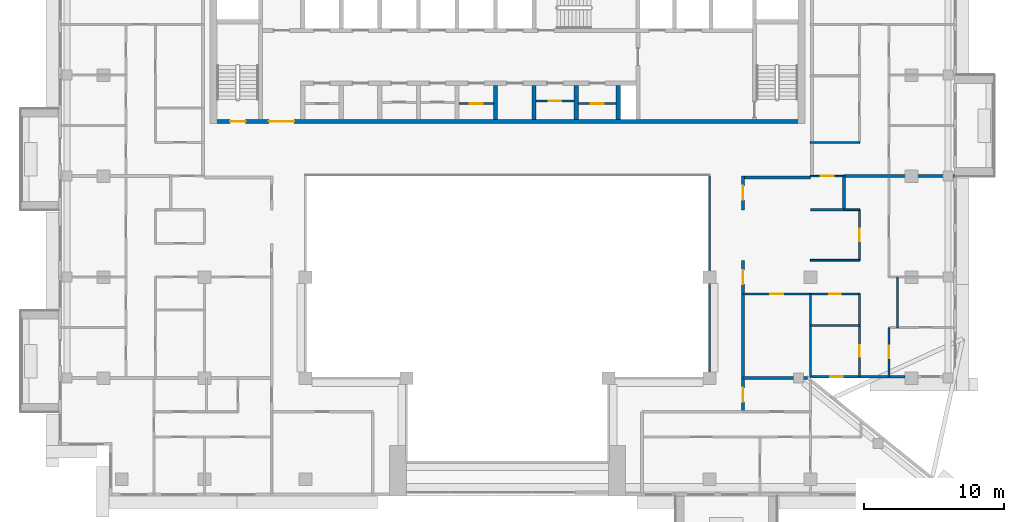
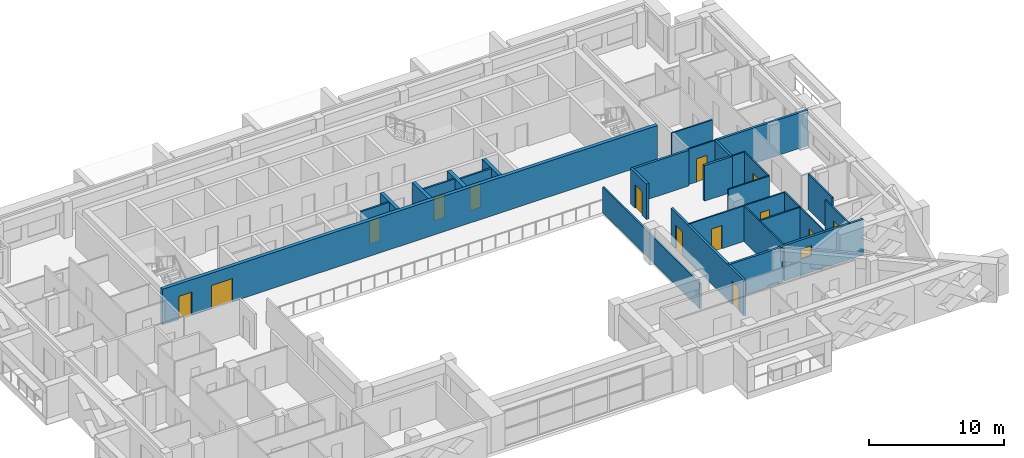
# One storey, part 9 of 19: 28 walls, 14 doors, 1 window, 15 openings.
"""IFC4 building model written with IfcOpenShell, lengths in metres."""

from ifc_helpers import new_model, si_unit, direction, frame, frame_2d, origin, place, context, subcontext, project, spatial, rectangle, extrude, material, layer, layer_set, type_object, element, fill, save


model = new_model("IFC4")

# Units and contexts
model_context = context("Model", 3, precision=1e-05, world=origin(), true_north=direction((0.0, 1.0)))
body_context = subcontext(model_context, "Body", "Model", "MODEL_VIEW")
ifc_project = project(units=[si_unit("LENGTHUNIT", "METRE"), si_unit("AREAUNIT", "SQUARE_METRE"), si_unit("VOLUMEUNIT", "CUBIC_METRE"), si_unit("PLANEANGLEUNIT", "RADIAN"), si_unit("MASSUNIT", "GRAM", prefix="KILO")], contexts=[model_context])

# Site, building, storey
site_placement = place(None, origin())
site = spatial("IfcSite", under=ifc_project, at=site_placement, CompositionType="ELEMENT")
building_placement = place(site_placement, origin())
building = spatial("IfcBuilding", under=site, at=building_placement, Name="Saffron Iwan Residences", CompositionType="ELEMENT")
storey_placement = place(building_placement, frame((0.0, 0.0, 229.0)))
storey = spatial("IfcBuildingStorey", under=building, at=storey_placement, Name="L61", CompositionType="ELEMENT", Elevation=229.0)

# Wall
ifc_material_1 = material(Name="Fire-rated glazing", Category="glass")
ifc_layer_1 = layer(ifc_material_1, 0.14990234375)
ifc_layer_set_1 = layer_set([ifc_layer_1], Name="Fire-rated glazing")
wall_type_1 = type_object("IfcWallType", Name="Atrium glazed screen 150", PredefinedType="SOLIDWALL", material=ifc_layer_set_1)
wall_1_placement = place(storey_placement, frame((64.800048828125, 48.0, 0.0), z_axis=(0.0, 0.0, 1.0), x_axis=(0.0, 1.0, 0.0)))
element("IfcWall", 1, at=wall_1_placement, inside=storey, type_object=wall_type_1, Name="W-L61-SCREEN-v64.8-48", PredefinedType="SOLIDWALL", context=body_context, shape_type="SweptSolid", body=[
    extrude(rectangle(XDim=14.39990234375, YDim=0.14990234375, at=frame_2d((7.199951171875, 0.0))), origin(), (0.0, 0.0, 1.0), 2.320068359375),
])

# Wall, opening, door
ifc_material_2 = material(Name="Fire-rated plasterboard partition")
ifc_layer_2 = layer(ifc_material_2, 0.14990234375)
ifc_layer_set_2 = layer_set([ifc_layer_2], Name="Fire-rated plasterboard partition")
wall_type_2 = type_object("IfcWallType", Name="Core partition 150", PredefinedType="PARTITIONING", material=ifc_layer_set_2)
wall_2_placement = place(storey_placement, frame((46.949951171875, 67.5654296875, 0.0), z_axis=(0.0, 0.0, 1.0), x_axis=(1.0, 0.0, 0.0)))
wall_2 = element("IfcWall", 2, at=wall_2_placement, inside=storey, type_object=wall_type_2, Name="Core partition P04", PredefinedType="PARTITIONING", context=body_context, shape_type="SweptSolid", body=[
    extrude(rectangle(XDim=2.449951171875, YDim=0.14990234375, at=frame_2d((1.22509765625, 0.0))), origin(), (0.0, 0.0, 1.0), 3.219970703125),
])
opening_1_placement = place(wall_2_placement, frame((0.77490234375, 0.0, 0.0)))
opening_1 = element("IfcOpeningElement", 3, at=opening_1_placement, cuts=wall_2, Name="Opening SB", PredefinedType="OPENING", context=body_context, shape_type="SweptSolid", body=[
    extrude(rectangle(XDim=0.89990234375, YDim=2.10009765625, at=frame_2d((0.449951171875, 1.050048828125))), frame((0.0, 0.0849609375, 0.0), z_axis=(0.0, -1.0, 0.0), x_axis=(1.0, 0.0, 0.0)), (0.0, 0.0, 1.0), 0.169921875),
])
ifc_material_3 = material(Name="Steel fire door", Category="steel")
door_type_1 = type_object("IfcDoorType", Name="Store door 900", OperationType="NOTDEFINED", PredefinedType="DOOR", material=ifc_material_3)
door_1_placement = place(opening_1_placement, origin())
door_1 = element("IfcDoor", 4, at=door_1_placement, inside=storey, type_object=door_type_1, Name="Door Equipment store", OperationType="SINGLE_SWING_RIGHT", OverallHeight=2.10009765625, OverallWidth=0.89990234375, PredefinedType="DOOR", context=body_context, shape_type="SweptSolid", body=[
    extrude(rectangle(XDim=0.89990234375, YDim=2.10009765625, at=frame_2d((0.449951171875, 1.050048828125))), frame((0.0, 0.02490234375, 0.0), z_axis=(0.0, -1.0, 0.0), x_axis=(1.0, 0.0, 0.0)), (0.0, 0.0, 1.0), 0.050048828125),
])
fill(opening_1, door_1)

wall_3_placement = place(storey_placement, frame((52.449951171875, 67.759521484375, 0.0), z_axis=(0.0, 0.0, 1.0), x_axis=(1.0, 0.0, 0.0)))
wall_3 = element("IfcWall", 5, at=wall_3_placement, inside=storey, type_object=wall_type_2, Name="Core partition P05", PredefinedType="PARTITIONING", context=body_context, shape_type="SweptSolid", body=[
    extrude(rectangle(XDim=2.699951171875, YDim=0.14990234375, at=frame_2d((1.35009765625, 0.0))), origin(), (0.0, 0.0, 1.0), 3.219970703125),
])
opening_2_placement = place(wall_3_placement, frame((0.89990234375, 0.0, 0.0)))
opening_2 = element("IfcOpeningElement", 6, at=opening_2_placement, cuts=wall_3, Name="Opening SB", PredefinedType="OPENING", context=body_context, shape_type="SweptSolid", body=[
    extrude(rectangle(XDim=0.89990234375, YDim=2.10009765625, at=frame_2d((0.449951171875, 1.050048828125))), frame((0.0, 0.0849609375, 0.0), z_axis=(0.0, -1.0, 0.0), x_axis=(1.0, 0.0, 0.0)), (0.0, 0.0, 1.0), 0.169921875),
])
door_2_placement = place(opening_2_placement, origin())
door_2 = element("IfcDoor", 7, at=door_2_placement, inside=storey, type_object=door_type_1, Name="Door Stationery store", OperationType="SINGLE_SWING_LEFT", OverallHeight=2.10009765625, OverallWidth=0.89990234375, PredefinedType="DOOR", context=body_context, shape_type="SweptSolid", body=[
    extrude(rectangle(XDim=0.89990234375, YDim=2.10009765625, at=frame_2d((0.449951171875, 1.050048828125))), frame((0.0, 0.02490234375, 0.0), z_axis=(0.0, -1.0, 0.0), x_axis=(1.0, 0.0, 0.0)), (0.0, 0.0, 1.0), 0.050048828125),
])
fill(opening_2, door_2)

wall_4_placement = place(storey_placement, frame((55.449951171875, 67.5654296875, 0.0), z_axis=(0.0, 0.0, 1.0), x_axis=(1.0, 0.0, 0.0)))
wall_4 = element("IfcWall", 8, at=wall_4_placement, inside=storey, type_object=wall_type_2, Name="Core partition P06", PredefinedType="PARTITIONING", context=body_context, shape_type="SweptSolid", body=[
    extrude(rectangle(XDim=2.699951171875, YDim=0.14990234375, at=frame_2d((1.35009765625, 0.0))), origin(), (0.0, 0.0, 1.0), 3.219970703125),
])
opening_3_placement = place(wall_4_placement, frame((0.89990234375, 0.0, 0.0)))
opening_3 = element("IfcOpeningElement", 9, at=opening_3_placement, cuts=wall_4, Name="Opening SB", PredefinedType="OPENING", context=body_context, shape_type="SweptSolid", body=[
    extrude(rectangle(XDim=0.89990234375, YDim=2.10009765625, at=frame_2d((0.449951171875, 1.050048828125))), frame((0.0, 0.0849609375, 0.0), z_axis=(0.0, -1.0, 0.0), x_axis=(1.0, 0.0, 0.0)), (0.0, 0.0, 1.0), 0.169921875),
])
door_3_placement = place(opening_3_placement, origin())
door_3 = element("IfcDoor", 10, at=door_3_placement, inside=storey, type_object=door_type_1, Name="Door Tool store", OperationType="SINGLE_SWING_RIGHT", OverallHeight=2.10009765625, OverallWidth=0.89990234375, PredefinedType="DOOR", context=body_context, shape_type="SweptSolid", body=[
    extrude(rectangle(XDim=0.89990234375, YDim=2.10009765625, at=frame_2d((0.449951171875, 1.050048828125))), frame((0.0, 0.02490234375, 0.0), z_axis=(0.0, -1.0, 0.0), x_axis=(1.0, 0.0, 0.0)), (0.0, 0.0, 1.0), 0.050048828125),
])
fill(opening_3, door_3)

# Wall, opening, window
ifc_material_4 = material(Name="Concrete C40/50", Category="concrete")
ifc_layer_3 = layer(ifc_material_4, 0.199951171875)
ifc_layer_set_3 = layer_set([ifc_layer_3], Name="Concrete C40/50")
wall_type_3 = type_object("IfcWallType", Name="EXTERNAL WALL 200", PredefinedType="SOLIDWALL", material=ifc_layer_set_3)
wall_5_placement = place(storey_placement, frame((71.987060546875, 48.10009765625, 0.0), z_axis=(0.0, 0.0, 1.0), x_axis=(1.0, 0.0, 0.0)))
wall_5 = element("IfcWall", 11, at=wall_5_placement, inside=storey, type_object=wall_type_3, Name="External wall L61 F1.0", PredefinedType="SOLIDWALL", context=body_context, shape_type="SweptSolid", body=[
    extrude(rectangle(XDim=6.762939453125, YDim=0.199951171875, at=frame_2d((3.38134765625, 0.0))), origin(), (0.0, 0.0, 1.0), 3.219970703125),
])
opening_4_placement = place(wall_5_placement, frame((1.406494140625, 0.0, 1.5)))
opening_4 = element("IfcOpeningElement", 12, at=opening_4_placement, cuts=wall_5, Name="Opening W6", PredefinedType="OPENING", context=body_context, shape_type="SweptSolid", body=[
    extrude(rectangle(XDim=0.89990234375, YDim=0.89990234375, at=frame_2d((0.449951171875, 0.449951171875))), frame((0.0, 0.10986328125, 0.0), z_axis=(0.0, -1.0, 0.0), x_axis=(1.0, 0.0, 0.0)), (0.0, 0.0, 1.0), 0.219970703125),
])
ifc_material_5 = material(Name="Clear glass, laminated double glazed", Category="glass")
window_type = type_object("IfcWindowType", Name="WINDOW 900 x 900 BATH", PartitioningType="SINGLE_PANEL", PredefinedType="WINDOW", material=ifc_material_5)
window_placement = place(opening_4_placement, origin())
window = element("IfcWindow", 13, at=window_placement, inside=storey, type_object=window_type, Name="Window L61 F1.0", OverallHeight=0.89990234375, OverallWidth=0.89990234375, PartitioningType="SINGLE_PANEL", PredefinedType="WINDOW", context=body_context, shape_type="SweptSolid", body=[
    extrude(rectangle(XDim=0.89990234375, YDim=0.89990234375, at=frame_2d((0.449951171875, 0.449951171875))), frame((0.0, 0.030029296875, 0.0), z_axis=(0.0, -1.0, 0.0), x_axis=(1.0, 0.0, 0.0)), (0.0, 0.0, 1.0), 0.06005859375),
])
fill(opening_4, window)

# Walls
ifc_material_6 = material(Name="Fire-rated gypsum board wall")
ifc_layer_4 = layer(ifc_material_6, 0.199951171875)
ifc_layer_set_4 = layer_set([ifc_layer_4], Name="Fire-rated gypsum board wall")
wall_type_4 = type_object("IfcWallType", Name="Flat demising wall 200", PredefinedType="SOLIDWALL", material=ifc_layer_set_4)
wall_6_placement = place(storey_placement, frame((67.199951171875, 48.0, 0.0), z_axis=(0.0, 0.0, 1.0), x_axis=(1.0, 0.0, 0.0)))
element("IfcWall", 14, at=wall_6_placement, inside=storey, type_object=wall_type_4, Name="W-L61-DEMISE-h48-67.2", PredefinedType="SOLIDWALL", context=body_context, shape_type="SweptSolid", body=[
    extrude(rectangle(XDim=4.60107421875, YDim=0.199951171875, at=frame_2d((2.300537109375, 0.0))), origin(), (0.0, 0.0, 1.0), 3.219970703125),
])
wall_7_placement = place(storey_placement, frame((72.0, 60.0, 0.0), z_axis=(0.0, 0.0, 1.0), x_axis=(1.0, 0.0, 0.0)))
element("IfcWall", 15, at=wall_7_placement, inside=storey, type_object=wall_type_4, Name="W-L61-DEMISE-h60-72", PredefinedType="SOLIDWALL", context=body_context, shape_type="SweptSolid", body=[
    extrude(rectangle(XDim=2.39990234375, YDim=0.199951171875, at=frame_2d((1.199951171875, 0.0))), origin(), (0.0, 0.0, 1.0), 3.219970703125),
])
wall_8_placement = place(storey_placement, frame((74.39990234375, 62.39990234375, 0.0), z_axis=(0.0, 0.0, 1.0), x_axis=(1.0, 0.0, 0.0)))
element("IfcWall", 16, at=wall_8_placement, inside=storey, type_object=wall_type_4, Name="W-L61-DEMISE-h62.4-74.4", PredefinedType="SOLIDWALL", context=body_context, shape_type="SweptSolid", body=[
    extrude(rectangle(XDim=7.875, YDim=0.199951171875, at=frame_2d((3.9375, 0.0))), origin(), (0.0, 0.0, 1.0), 3.219970703125),
])
wall_9_placement = place(storey_placement, frame((74.39990234375, 60.0, 0.0), z_axis=(0.0, 0.0, 1.0), x_axis=(0.0, 1.0, 0.0)))
element("IfcWall", 17, at=wall_9_placement, inside=storey, type_object=wall_type_4, Name="W-L61-DEMISE-v74.4-60", PredefinedType="SOLIDWALL", context=body_context, shape_type="SweptSolid", body=[
    extrude(rectangle(XDim=2.39990234375, YDim=0.199951171875, at=frame_2d((1.199951171875, 0.0))), origin(), (0.0, 0.0, 1.0), 3.219970703125),
])
ifc_material_7 = material(Name="Gypsum board partition")
ifc_layer_5 = layer(ifc_material_7, 0.1201171875)
ifc_layer_set_5 = layer_set([ifc_layer_5], Name="Gypsum board partition")
wall_type_5 = type_object("IfcWallType", Name="Flat partition 120", PredefinedType="PARTITIONING", material=ifc_layer_set_5)
wall_10_placement = place(storey_placement, frame((72.0, 51.75, 0.0), z_axis=(0.0, 0.0, 1.0), x_axis=(1.0, 0.0, 0.0)))
element("IfcWall", 18, at=wall_10_placement, inside=storey, type_object=wall_type_5, Name="W-L61-PART-h51.75-72", PredefinedType="PARTITIONING", context=body_context, shape_type="SweptSolid", body=[
    extrude(rectangle(XDim=3.5, YDim=0.1201171875, at=frame_2d((1.75, 0.0))), origin(), (0.0, 0.0, 1.0), 3.219970703125),
])

# Wall, openings, doors
wall_11_placement = place(storey_placement, frame((67.199951171875, 54.0, 0.0), z_axis=(0.0, 0.0, 1.0), x_axis=(1.0, 0.0, 0.0)))
wall_11 = element("IfcWall", 19, at=wall_11_placement, inside=storey, type_object=wall_type_5, Name="W-L61-PART-h54-67.2", PredefinedType="PARTITIONING", context=body_context, shape_type="SweptSolid", body=[
    extrude(rectangle(XDim=8.300048828125, YDim=0.1201171875, at=frame_2d((4.14990234375, 0.0))), origin(), (0.0, 0.0, 1.0), 3.219970703125),
])
opening_5_placement = place(wall_11_placement, frame((6.14990234375, 0.0, 0.0)))
opening_5 = element("IfcOpeningElement", 20, at=opening_5_placement, cuts=wall_11, Name="Opening FD3", PredefinedType="OPENING", context=body_context, shape_type="SweptSolid", body=[
    extrude(rectangle(XDim=0.800048828125, YDim=2.10009765625, at=frame_2d((0.39990234375, 1.050048828125))), frame((0.0, 0.070068359375, 0.0), z_axis=(0.0, -1.0, 0.0), x_axis=(1.0, 0.0, 0.0)), (0.0, 0.0, 1.0), 0.14013671875),
])
opening_6_placement = place(wall_11_placement, frame((1.949951171875, 0.0, 0.0)))
opening_6 = element("IfcOpeningElement", 21, at=opening_6_placement, cuts=wall_11, Name="Opening FD2", PredefinedType="OPENING", context=body_context, shape_type="SweptSolid", body=[
    extrude(rectangle(XDim=0.89990234375, YDim=2.10009765625, at=frame_2d((0.449951171875, 1.050048828125))), frame((0.0, 0.070068359375, 0.0), z_axis=(0.0, -1.0, 0.0), x_axis=(1.0, 0.0, 0.0)), (0.0, 0.0, 1.0), 0.14013671875),
])
ifc_material_8 = material(Name="Timber door", Category="wood")
door_type_2 = type_object("IfcDoorType", Name="Bathroom door 800", OperationType="NOTDEFINED", PredefinedType="DOOR", material=ifc_material_8)
door_4_placement = place(opening_5_placement, origin())
door_4 = element("IfcDoor", 22, at=door_4_placement, inside=storey, type_object=door_type_2, Name="Door L61-021", OperationType="SINGLE_SWING_RIGHT", OverallHeight=2.10009765625, OverallWidth=0.800048828125, PredefinedType="DOOR", context=body_context, shape_type="SweptSolid", body=[
    extrude(rectangle(XDim=0.800048828125, YDim=2.10009765625, at=frame_2d((0.39990234375, 1.050048828125))), frame((0.0, 0.02490234375, 0.0), z_axis=(0.0, -1.0, 0.0), x_axis=(1.0, 0.0, 0.0)), (0.0, 0.0, 1.0), 0.050048828125),
])
fill(opening_5, door_4)
door_type_3 = type_object("IfcDoorType", Name="Flat door 900", OperationType="NOTDEFINED", PredefinedType="DOOR", material=ifc_material_8)
door_5_placement = place(opening_6_placement, origin())
door_5 = element("IfcDoor", 23, at=door_5_placement, inside=storey, type_object=door_type_3, Name="Door L61-023", OperationType="SINGLE_SWING_LEFT", OverallHeight=2.10009765625, OverallWidth=0.89990234375, PredefinedType="DOOR", context=body_context, shape_type="SweptSolid", body=[
    extrude(rectangle(XDim=0.89990234375, YDim=2.10009765625, at=frame_2d((0.449951171875, 1.050048828125))), frame((0.0, 0.02490234375, 0.0), z_axis=(0.0, -1.0, 0.0), x_axis=(1.0, 0.0, 0.0)), (0.0, 0.0, 1.0), 0.050048828125),
])
fill(opening_6, door_5)

# Walls
wall_12_placement = place(storey_placement, frame((72.0, 56.39990234375, 0.0), z_axis=(0.0, 0.0, 1.0), x_axis=(1.0, 0.0, 0.0)))
element("IfcWall", 24, at=wall_12_placement, inside=storey, type_object=wall_type_5, Name="W-L61-PART-h56.4-72", PredefinedType="PARTITIONING", context=body_context, shape_type="SweptSolid", body=[
    extrude(rectangle(XDim=3.5, YDim=0.1201171875, at=frame_2d((1.75, 0.0))), origin(), (0.0, 0.0, 1.0), 3.219970703125),
])
wall_13_placement = place(storey_placement, frame((74.39990234375, 60.0, 0.0), z_axis=(0.0, 0.0, 1.0), x_axis=(1.0, 0.0, 0.0)))
element("IfcWall", 25, at=wall_13_placement, inside=storey, type_object=wall_type_5, Name="W-L61-PART-h60-74.4", PredefinedType="PARTITIONING", context=body_context, shape_type="SweptSolid", body=[
    extrude(rectangle(XDim=1.10009765625, YDim=0.1201171875, at=frame_2d((0.550048828125, 0.0))), origin(), (0.0, 0.0, 1.0), 3.219970703125),
])

# Wall, opening, door
wall_14_placement = place(storey_placement, frame((72.0, 62.39990234375, 0.0), z_axis=(0.0, 0.0, 1.0), x_axis=(1.0, 0.0, 0.0)))
wall_14 = element("IfcWall", 26, at=wall_14_placement, inside=storey, type_object=wall_type_5, Name="W-L61-PART-h62.4-72", PredefinedType="PARTITIONING", context=body_context, shape_type="SweptSolid", body=[
    extrude(rectangle(XDim=2.39990234375, YDim=0.1201171875, at=frame_2d((1.199951171875, 0.0))), origin(), (0.0, 0.0, 1.0), 3.219970703125),
])
opening_7_placement = place(wall_14_placement, frame((0.75, 0.0, 0.0)))
opening_7 = element("IfcOpeningElement", 27, at=opening_7_placement, cuts=wall_14, Name="Opening FD2", PredefinedType="OPENING", context=body_context, shape_type="SweptSolid", body=[
    extrude(rectangle(XDim=0.89990234375, YDim=2.10009765625, at=frame_2d((0.449951171875, 1.050048828125))), frame((0.0, 0.070068359375, 0.0), z_axis=(0.0, -1.0, 0.0), x_axis=(1.0, 0.0, 0.0)), (0.0, 0.0, 1.0), 0.14013671875),
])
door_6_placement = place(opening_7_placement, origin())
door_6 = element("IfcDoor", 28, at=door_6_placement, inside=storey, type_object=door_type_3, Name="Door L61-032", OperationType="SINGLE_SWING_LEFT", OverallHeight=2.10009765625, OverallWidth=0.89990234375, PredefinedType="DOOR", context=body_context, shape_type="SweptSolid", body=[
    extrude(rectangle(XDim=0.89990234375, YDim=2.10009765625, at=frame_2d((0.449951171875, 1.050048828125))), frame((0.0, 0.02490234375, 0.0), z_axis=(0.0, -1.0, 0.0), x_axis=(1.0, 0.0, 0.0)), (0.0, 0.0, 1.0), 0.050048828125),
])
fill(opening_7, door_6)

# Walls
wall_15_placement = place(storey_placement, frame((72.0, 64.800048828125, 0.0), z_axis=(0.0, 0.0, 1.0), x_axis=(1.0, 0.0, 0.0)))
element("IfcWall", 29, at=wall_15_placement, inside=storey, type_object=wall_type_5, Name="W-L61-PART-h64.8-72", PredefinedType="PARTITIONING", context=body_context, shape_type="SweptSolid", body=[
    extrude(rectangle(XDim=3.5, YDim=0.1201171875, at=frame_2d((1.75, 0.0))), origin(), (0.0, 0.0, 1.0), 3.219970703125),
])
wall_16_placement = place(storey_placement, frame((72.0, 48.125, 0.0), z_axis=(0.0, 0.0, 1.0), x_axis=(0.0, 1.0, 0.0)))
element("IfcWall", 30, at=wall_16_placement, inside=storey, type_object=wall_type_5, Name="W-L61-PART-v72-48.125", PredefinedType="PARTITIONING", context=body_context, shape_type="SweptSolid", body=[
    extrude(rectangle(XDim=5.875, YDim=0.1201171875, at=frame_2d((2.9375, 0.0))), origin(), (0.0, 0.0, 1.0), 3.219970703125),
])

# Wall, opening, door
wall_17_placement = place(storey_placement, frame((75.5, 48.125, 0.0), z_axis=(0.0, 0.0, 1.0), x_axis=(0.0, 1.0, 0.0)))
wall_17 = element("IfcWall", 31, at=wall_17_placement, inside=storey, type_object=wall_type_5, Name="W-L61-PART-v75.5-48.125", PredefinedType="PARTITIONING", context=body_context, shape_type="SweptSolid", body=[
    extrude(rectangle(XDim=5.875, YDim=0.1201171875, at=frame_2d((2.9375, 0.0))), origin(), (0.0, 0.0, 1.0), 3.219970703125),
])
opening_8_placement = place(wall_17_placement, frame((1.41259765625, 0.0, 0.0)))
opening_8 = element("IfcOpeningElement", 32, at=opening_8_placement, cuts=wall_17, Name="Opening FD3", PredefinedType="OPENING", context=body_context, shape_type="SweptSolid", body=[
    extrude(rectangle(XDim=0.800048828125, YDim=2.10009765625, at=frame_2d((0.39990234375, 1.050048828125))), frame((0.0, 0.070068359375, 0.0), z_axis=(0.0, -1.0, 0.0), x_axis=(1.0, 0.0, 0.0)), (0.0, 0.0, 1.0), 0.14013671875),
])
door_7_placement = place(opening_8_placement, origin())
door_7 = element("IfcDoor", 33, at=door_7_placement, inside=storey, type_object=door_type_2, Name="Door L61-020", OperationType="SINGLE_SWING_LEFT", OverallHeight=2.10009765625, OverallWidth=0.800048828125, PredefinedType="DOOR", context=body_context, shape_type="SweptSolid", body=[
    extrude(rectangle(XDim=0.800048828125, YDim=2.10009765625, at=frame_2d((0.39990234375, 1.050048828125))), frame((0.0, 0.02490234375, 0.0), z_axis=(0.0, -1.0, 0.0), x_axis=(1.0, 0.0, 0.0)), (0.0, 0.0, 1.0), 0.050048828125),
])
fill(opening_8, door_7)

wall_18_placement = place(storey_placement, frame((75.5, 56.39990234375, 0.0), z_axis=(0.0, 0.0, 1.0), x_axis=(0.0, 1.0, 0.0)))
wall_18 = element("IfcWall", 34, at=wall_18_placement, inside=storey, type_object=wall_type_5, Name="W-L61-PART-v75.5-56.4", PredefinedType="PARTITIONING", context=body_context, shape_type="SweptSolid", body=[
    extrude(rectangle(XDim=3.60009765625, YDim=0.1201171875, at=frame_2d((1.800048828125, 0.0))), origin(), (0.0, 0.0, 1.0), 3.219970703125),
])
opening_9_placement = place(wall_18_placement, frame((1.35009765625, 0.0, 0.0)))
opening_9 = element("IfcOpeningElement", 35, at=opening_9_placement, cuts=wall_18, Name="Opening FD2", PredefinedType="OPENING", context=body_context, shape_type="SweptSolid", body=[
    extrude(rectangle(XDim=0.89990234375, YDim=2.10009765625, at=frame_2d((0.449951171875, 1.050048828125))), frame((0.0, 0.070068359375, 0.0), z_axis=(0.0, -1.0, 0.0), x_axis=(1.0, 0.0, 0.0)), (0.0, 0.0, 1.0), 0.14013671875),
])
door_8_placement = place(opening_9_placement, origin())
door_8 = element("IfcDoor", 36, at=door_8_placement, inside=storey, type_object=door_type_3, Name="Door L61-022", OperationType="SINGLE_SWING_LEFT", OverallHeight=2.10009765625, OverallWidth=0.89990234375, PredefinedType="DOOR", context=body_context, shape_type="SweptSolid", body=[
    extrude(rectangle(XDim=0.89990234375, YDim=2.10009765625, at=frame_2d((0.449951171875, 1.050048828125))), frame((0.0, 0.02490234375, 0.0), z_axis=(0.0, -1.0, 0.0), x_axis=(1.0, 0.0, 0.0)), (0.0, 0.0, 1.0), 0.050048828125),
])
fill(opening_9, door_8)

wall_19_placement = place(storey_placement, frame((77.60009765625, 48.125, 0.0), z_axis=(0.0, 0.0, 1.0), x_axis=(0.0, 1.0, 0.0)))
wall_19 = element("IfcWall", 37, at=wall_19_placement, inside=storey, type_object=wall_type_5, Name="W-L61-PART-v77.6-48.125", PredefinedType="PARTITIONING", context=body_context, shape_type="SweptSolid", body=[
    extrude(rectangle(XDim=3.47509765625, YDim=0.1201171875, at=frame_2d((1.737548828125, 0.0))), origin(), (0.0, 0.0, 1.0), 3.219970703125),
])
opening_10_placement = place(wall_19_placement, frame((1.28759765625, 0.0, 0.0)))
opening_10 = element("IfcOpeningElement", 38, at=opening_10_placement, cuts=wall_19, Name="Opening FD2", PredefinedType="OPENING", context=body_context, shape_type="SweptSolid", body=[
    extrude(rectangle(XDim=0.89990234375, YDim=2.10009765625, at=frame_2d((0.449951171875, 1.050048828125))), frame((0.0, 0.070068359375, 0.0), z_axis=(0.0, -1.0, 0.0), x_axis=(1.0, 0.0, 0.0)), (0.0, 0.0, 1.0), 0.14013671875),
])
door_9_placement = place(opening_10_placement, origin())
door_9 = element("IfcDoor", 39, at=door_9_placement, inside=storey, type_object=door_type_3, Name="Door L61-017", OperationType="SINGLE_SWING_LEFT", OverallHeight=2.10009765625, OverallWidth=0.89990234375, PredefinedType="DOOR", context=body_context, shape_type="SweptSolid", body=[
    extrude(rectangle(XDim=0.89990234375, YDim=2.10009765625, at=frame_2d((0.449951171875, 1.050048828125))), frame((0.0, 0.02490234375, 0.0), z_axis=(0.0, -1.0, 0.0), x_axis=(1.0, 0.0, 0.0)), (0.0, 0.0, 1.0), 0.050048828125),
])
fill(opening_10, door_9)

# Walls
wall_20_placement = place(storey_placement, frame((78.199951171875, 51.60009765625, 0.0), z_axis=(0.0, 0.0, 1.0), x_axis=(0.0, 1.0, 0.0)))
element("IfcWall", 40, at=wall_20_placement, inside=storey, type_object=wall_type_5, Name="W-L61-PART-v78.2-51.6", PredefinedType="PARTITIONING", context=body_context, shape_type="SweptSolid", body=[
    extrude(rectangle(XDim=3.599853515625, YDim=0.1201171875, at=frame_2d((1.7998046875, 0.0))), origin(), (0.0, 0.0, 1.0), 3.219970703125),
])
ifc_layer_6 = layer(ifc_material_6, 0.199951171875)
ifc_layer_set_6 = layer_set([ifc_layer_6], Name="Fire-rated gypsum board wall")
wall_type_6 = type_object("IfcWallType", Name="Gallery wall 200", PredefinedType="SOLIDWALL", material=ifc_layer_set_6)
wall_21_placement = place(storey_placement, frame((67.199951171875, 62.300048828125, 0.0), z_axis=(0.0, 0.0, 1.0), x_axis=(1.0, 0.0, 0.0)))
element("IfcWall", 41, at=wall_21_placement, inside=storey, type_object=wall_type_6, Name="W-L61-CORR-h62.4-67.2", PredefinedType="SOLIDWALL", context=body_context, shape_type="SweptSolid", body=[
    extrude(rectangle(XDim=4.800048828125, YDim=0.199951171875, at=frame_2d((2.39990234375, 0.0))), origin(), (0.0, 0.0, 1.0), 3.219970703125),
])

# Wall, openings, doors
wall_22_placement = place(storey_placement, frame((67.199951171875, 45.60009765625, 0.0), z_axis=(0.0, 0.0, 1.0), x_axis=(0.0, 1.0, 0.0)))
wall_22 = element("IfcWall", 42, at=wall_22_placement, inside=storey, type_object=wall_type_6, Name="W-L61-CORR-v67.2-45.6", PredefinedType="SOLIDWALL", context=body_context, shape_type="SweptSolid", body=[
    extrude(rectangle(XDim=10.7998046875, YDim=0.199951171875, at=frame_2d((5.39990234375, 0.0))), origin(), (0.0, 0.0, 1.0), 3.219970703125),
])
opening_11_placement = place(wall_22_placement, frame((9.10009765625, 0.0, 0.0)))
opening_11 = element("IfcOpeningElement", 43, at=opening_11_placement, cuts=wall_22, Name="Opening FD1", PredefinedType="OPENING", context=body_context, shape_type="SweptSolid", body=[
    extrude(rectangle(XDim=1.0, YDim=2.10009765625, at=frame_2d((0.5, 1.050048828125))), frame((0.0, 0.10986328125, 0.0), z_axis=(0.0, -1.0, 0.0), x_axis=(1.0, 0.0, 0.0)), (0.0, 0.0, 1.0), 0.219970703125),
])
opening_12_placement = place(wall_22_placement, frame((0.699951171875, 0.0, 0.0)))
opening_12 = element("IfcOpeningElement", 44, at=opening_12_placement, cuts=wall_22, Name="Opening FD5", PredefinedType="OPENING", context=body_context, shape_type="SweptSolid", body=[
    extrude(rectangle(XDim=1.0, YDim=2.10009765625, at=frame_2d((0.5, 1.050048828125))), frame((0.0, 0.10986328125, 0.0), z_axis=(0.0, -1.0, 0.0), x_axis=(1.0, 0.0, 0.0)), (0.0, 0.0, 1.0), 0.219970703125),
])
ifc_material_9 = material(Name="Fire-rated timber door", Category="wood")
door_type_4 = type_object("IfcDoorType", Name="FD30S flat entrance door 1000", OperationType="NOTDEFINED", PredefinedType="DOOR", material=ifc_material_9)
door_10_placement = place(opening_11_placement, origin())
door_10 = element("IfcDoor", 45, at=door_10_placement, inside=storey, type_object=door_type_4, Name="Door L61-016", OperationType="SINGLE_SWING_LEFT", OverallHeight=2.10009765625, OverallWidth=1.0, PredefinedType="DOOR", context=body_context, shape_type="SweptSolid", body=[
    extrude(rectangle(XDim=1.0, YDim=2.10009765625, at=frame_2d((0.5, 1.050048828125))), frame((0.0, 0.02490234375, 0.0), z_axis=(0.0, -1.0, 0.0), x_axis=(1.0, 0.0, 0.0)), (0.0, 0.0, 1.0), 0.050048828125),
])
fill(opening_11, door_10)
door_type_5 = type_object("IfcDoorType", Name="Lobby door 1000", OperationType="NOTDEFINED", PredefinedType="DOOR", material=ifc_material_9)
door_11_placement = place(opening_12_placement, origin())
door_11 = element("IfcDoor", 46, at=door_11_placement, inside=storey, type_object=door_type_5, Name="Door L61-042", OperationType="SINGLE_SWING_RIGHT", OverallHeight=2.10009765625, OverallWidth=1.0, PredefinedType="DOOR", context=body_context, shape_type="SweptSolid", body=[
    extrude(rectangle(XDim=1.0, YDim=2.10009765625, at=frame_2d((0.5, 1.050048828125))), frame((0.0, 0.02490234375, 0.0), z_axis=(0.0, -1.0, 0.0), x_axis=(1.0, 0.0, 0.0)), (0.0, 0.0, 1.0), 0.050048828125),
])
fill(opening_12, door_11)

# Wall, opening, door
wall_23_placement = place(storey_placement, frame((67.199951171875, 60.0, 0.0), z_axis=(0.0, 0.0, 1.0), x_axis=(0.0, 1.0, 0.0)))
wall_23 = element("IfcWall", 47, at=wall_23_placement, inside=storey, type_object=wall_type_6, Name="W-L61-CORR-v67.2-60", PredefinedType="SOLIDWALL", context=body_context, shape_type="SweptSolid", body=[
    extrude(rectangle(XDim=2.39990234375, YDim=0.199951171875, at=frame_2d((1.199951171875, 0.0))), origin(), (0.0, 0.0, 1.0), 3.219970703125),
])
opening_13_placement = place(wall_23_placement, frame((0.699951171875, 0.0, 0.0)))
opening_13 = element("IfcOpeningElement", 48, at=opening_13_placement, cuts=wall_23, Name="Opening FD5", PredefinedType="OPENING", context=body_context, shape_type="SweptSolid", body=[
    extrude(rectangle(XDim=1.0, YDim=2.10009765625, at=frame_2d((0.5, 1.050048828125))), frame((0.0, 0.10986328125, 0.0), z_axis=(0.0, -1.0, 0.0), x_axis=(1.0, 0.0, 0.0)), (0.0, 0.0, 1.0), 0.219970703125),
])
door_12_placement = place(opening_13_placement, origin())
door_12 = element("IfcDoor", 49, at=door_12_placement, inside=storey, type_object=door_type_5, Name="Door L61-033", OperationType="SINGLE_SWING_RIGHT", OverallHeight=2.10009765625, OverallWidth=1.0, PredefinedType="DOOR", context=body_context, shape_type="SweptSolid", body=[
    extrude(rectangle(XDim=1.0, YDim=2.10009765625, at=frame_2d((0.5, 1.050048828125))), frame((0.0, 0.02490234375, 0.0), z_axis=(0.0, -1.0, 0.0), x_axis=(1.0, 0.0, 0.0)), (0.0, 0.0, 1.0), 0.050048828125),
])
fill(opening_13, door_12)

# Wall, openings, doors
ifc_layer_7 = layer(ifc_material_4, 0.300048828125)
ifc_layer_set_7 = layer_set([ifc_layer_7], Name="Concrete C40/50")
wall_type_7 = type_object("IfcWallType", Name="WALL CORE 300 C40/50 3220 HIGH", PredefinedType="SHEAR", material=ifc_layer_set_7)
wall_24_placement = place(storey_placement, frame((29.199951171875, 66.300048828125, 0.0), z_axis=(0.0, 0.0, 1.0), x_axis=(1.0, 0.0, 0.0)))
wall_24 = element("IfcWall", 50, at=wall_24_placement, inside=storey, type_object=wall_type_7, Name="Core wall", PredefinedType="SHEAR", context=body_context, shape_type="SweptSolid", body=[
    extrude(rectangle(XDim=42.400146484375, YDim=0.300048828125, at=frame_2d((21.2001953125, 0.0))), origin(), (0.0, 0.0, 1.0), 3.219970703125),
])
opening_14_placement = place(wall_24_placement, frame((1.425048828125, 0.0, 0.0)))
opening_14 = element("IfcOpeningElement", 51, at=opening_14_placement, cuts=wall_24, Name="Opening SD", PredefinedType="OPENING", context=body_context, shape_type="SweptSolid", body=[
    extrude(rectangle(XDim=1.10009765625, YDim=2.10009765625, at=frame_2d((0.550048828125, 1.050048828125))), frame((0.0, 0.16015625, 0.0), z_axis=(0.0, -1.0, 0.0), x_axis=(1.0, 0.0, 0.0)), (0.0, 0.0, 1.0), 0.320068359375),
])
opening_15_placement = place(wall_24_placement, frame((4.199951171875, 0.0, 0.0)))
opening_15 = element("IfcOpeningElement", 52, at=opening_15_placement, cuts=wall_24, Name="Opening DD", PredefinedType="OPENING", context=body_context, shape_type="SweptSolid", body=[
    extrude(rectangle(XDim=1.800048828125, YDim=2.10009765625, at=frame_2d((0.89990234375, 1.050048828125))), frame((0.0, 0.16015625, 0.0), z_axis=(0.0, -1.0, 0.0), x_axis=(1.0, 0.0, 0.0)), (0.0, 0.0, 1.0), 0.320068359375),
])
door_type_6 = type_object("IfcDoorType", Name="Lobby double door 1800", OperationType="DOUBLE_DOOR_SINGLE_SWING", PredefinedType="DOOR", material=ifc_material_3)
door_13_placement = place(opening_15_placement, origin())
door_13 = element("IfcDoor", 53, at=door_13_placement, inside=storey, type_object=door_type_6, Name="Lobby doors", OperationType="DOUBLE_DOOR_SINGLE_SWING", OverallHeight=2.10009765625, OverallWidth=1.800048828125, PredefinedType="DOOR", context=body_context, shape_type="SweptSolid", body=[
    extrude(rectangle(XDim=1.800048828125, YDim=2.10009765625, at=frame_2d((0.89990234375, 1.050048828125))), frame((0.0, 0.02490234375, 0.0), z_axis=(0.0, -1.0, 0.0), x_axis=(1.0, 0.0, 0.0)), (0.0, 0.0, 1.0), 0.050048828125),
])
fill(opening_15, door_13)
door_type_7 = type_object("IfcDoorType", Name="Stair door 1100", OperationType="NOTDEFINED", PredefinedType="DOOR", material=ifc_material_3)
door_14_placement = place(opening_14_placement, origin())
door_14 = element("IfcDoor", 54, at=door_14_placement, inside=storey, type_object=door_type_7, Name="Stair door ST-W", OperationType="SINGLE_SWING_LEFT", OverallHeight=2.10009765625, OverallWidth=1.10009765625, PredefinedType="DOOR", context=body_context, shape_type="SweptSolid", body=[
    extrude(rectangle(XDim=1.10009765625, YDim=2.10009765625, at=frame_2d((0.550048828125, 1.050048828125))), frame((0.0, 0.02490234375, 0.0), z_axis=(0.0, -1.0, 0.0), x_axis=(1.0, 0.0, 0.0)), (0.0, 0.0, 1.0), 0.050048828125),
])
fill(opening_14, door_14)

# Walls
for number, where, z_axis, x_axis, name in (
    (55, (49.550048828125, 66.449951171875, 0.0), (0.0, 0.0, 1.0), (0.0, 1.0, 0.0), "Core wall"),
    (56, (52.300048828125, 66.449951171875, 0.0), (0.0, 0.0, 1.0), (0.0, 1.0, 0.0), "Core wall"),
    (57, (55.300048828125, 66.449951171875, 0.0), (0.0, 0.0, 1.0), (0.0, 1.0, 0.0), "Core wall"),
    (58, (58.300048828125, 66.449951171875, 0.0), (0.0, 0.0, 1.0), (0.0, 1.0, 0.0), "Core wall"),
):
    element("IfcWall", number, at=place(storey_placement, frame(where, z_axis=z_axis, x_axis=x_axis)), inside=storey, type_object=wall_type_7, Name=name, PredefinedType="SHEAR", context=body_context, shape_type="SweptSolid", body=[
        extrude(rectangle(XDim=2.425048828125, YDim=0.300048828125, at=frame_2d((1.21240234375, 0.0))), origin(), (0.0, 0.0, 1.0), 3.219970703125),
    ])

save(model, "model.ifc")
